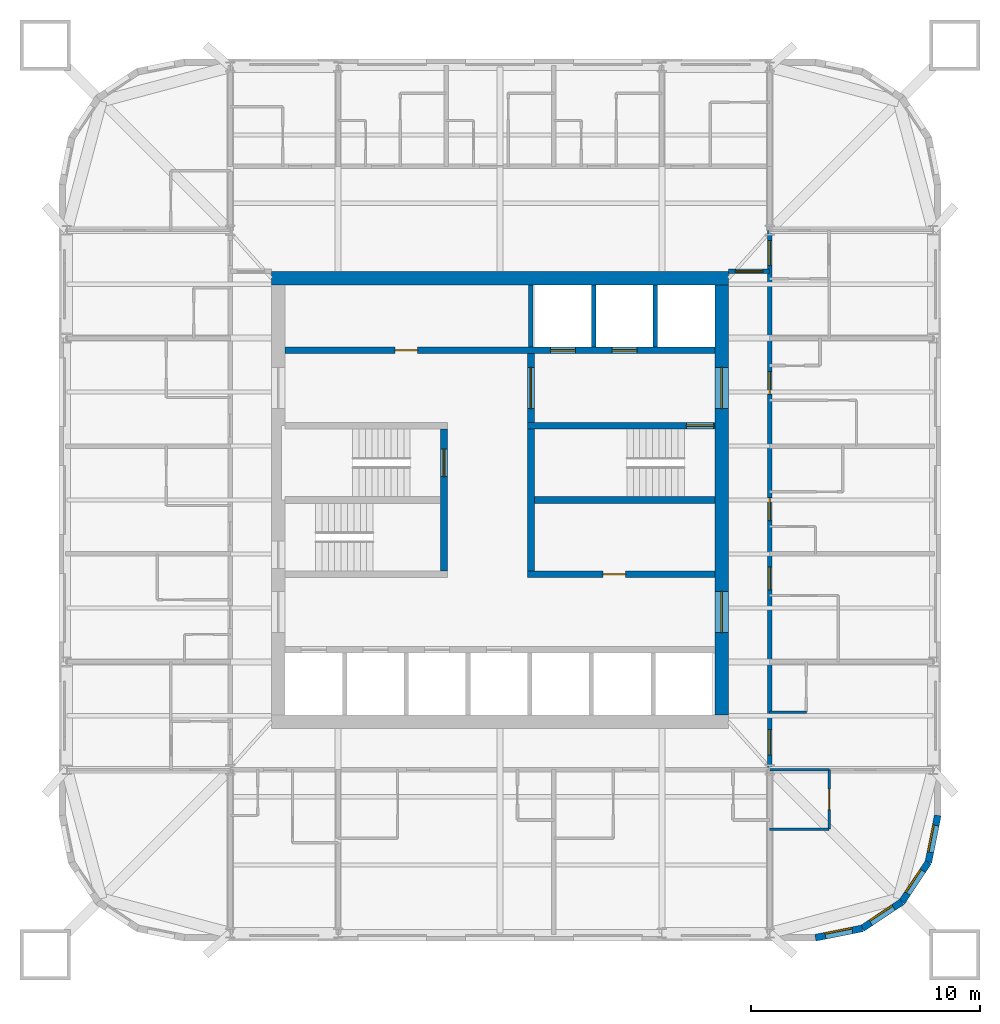
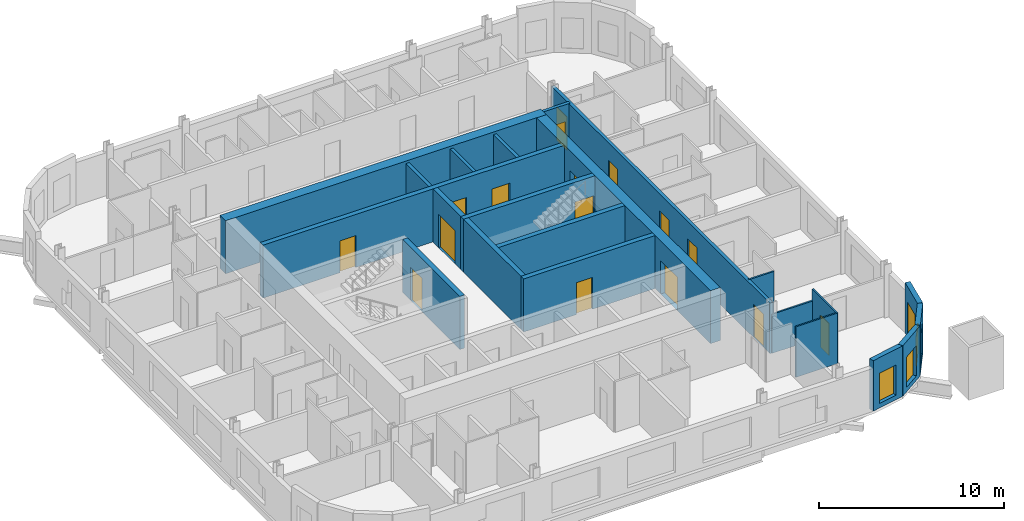
# One storey, part 5 of 9: 21 walls, 16 doors, 4 windows, 20 openings.
"""IFC4 building model written with IfcOpenShell, lengths in metres."""

from ifc_helpers import new_model, si_unit, direction, frame, frame_2d, origin, place, context, subcontext, project, spatial, rectangle, extrude, material, layer, layer_set, type_object, element, fill, save


model = new_model("IFC4")

# Units and contexts
model_context = context("Model", 3, precision=1e-05, world=origin(), true_north=direction((0.0, 1.0)))
body_context = subcontext(model_context, "Body", "Model", "MODEL_VIEW")
ifc_project = project(units=[si_unit("LENGTHUNIT", "METRE"), si_unit("AREAUNIT", "SQUARE_METRE"), si_unit("VOLUMEUNIT", "CUBIC_METRE"), si_unit("PLANEANGLEUNIT", "RADIAN"), si_unit("MASSUNIT", "GRAM", prefix="KILO")], contexts=[model_context])

# Site, building, storey
site_placement = place(None, origin())
site = spatial("IfcSite", under=ifc_project, at=site_placement, CompositionType="ELEMENT")
building_placement = place(site_placement, origin())
building = spatial("IfcBuilding", under=site, at=building_placement, Name="Turquesa Mirador Hotel Tower", CompositionType="ELEMENT")
storey_placement = place(building_placement, frame((0.0, 0.0, 172.300048828125)))
storey = spatial("IfcBuildingStorey", under=building, at=storey_placement, Name="L46", CompositionType="ELEMENT", Elevation=172.300048828125)

# Walls
ifc_material_1 = material(Name="Gypsum board on steel studs", Category="steel")
ifc_layer_1 = layer(ifc_material_1, 0.10009765625)
ifc_layer_set_1 = layer_set([ifc_layer_1], Name="BATHROOM WALL 100")
wall_type_1 = type_object("IfcWallType", Name="BATHROOM WALL 100", PredefinedType="PARTITIONING", material=ifc_layer_set_1)
wall_1_placement = place(storey_placement, frame((66.800048828125, 33.199951171875, 0.0), z_axis=(0.0, 0.0, 1.0), x_axis=(1.0, 0.0, 0.0)))
element("IfcWall", 1, at=wall_1_placement, inside=storey, type_object=wall_type_1, Name="Partition L46 003", PredefinedType="PARTITIONING", context=body_context, shape_type="SweptSolid", body=[
    extrude(rectangle(XDim=2.599853515625, YDim=0.10009765625, at=frame_2d((1.2998046875, 0.0))), origin(), (0.0, 0.0, 1.0), 2.572998046875),
])
wall_2_placement = place(storey_placement, frame((66.800048828125, 30.60009765625, 0.0), z_axis=(0.0, 0.0, 1.0), x_axis=(1.0, 0.0, 0.0)))
element("IfcWall", 2, at=wall_2_placement, inside=storey, type_object=wall_type_1, Name="Partition L46 010", PredefinedType="PARTITIONING", context=body_context, shape_type="SweptSolid", body=[
    extrude(rectangle(XDim=2.599853515625, YDim=0.10009765625, at=frame_2d((1.2998046875, 0.0))), origin(), (0.0, 0.0, 1.0), 3.329833984375),
])
wall_3_placement = place(storey_placement, frame((66.800048828125, 35.719970703125, 0.0), z_axis=(0.0, 0.0, 1.0), x_axis=(1.0, 0.0, 0.0)))
element("IfcWall", 3, at=wall_3_placement, inside=storey, type_object=wall_type_1, Name="Partition L46 021", PredefinedType="PARTITIONING", context=body_context, shape_type="SweptSolid", body=[
    extrude(rectangle(XDim=1.599853515625, YDim=0.10009765625, at=frame_2d((0.7998046875, 0.0))), origin(), (0.0, 0.0, 1.0), 3.329833984375),
])

# Wall, opening, door
wall_4_placement = place(storey_placement, frame((69.39990234375, 30.60009765625, 0.0), z_axis=(0.0, 0.0, 1.0), x_axis=(0.0, 1.0, 0.0)))
wall_4 = element("IfcWall", 4, at=wall_4_placement, inside=storey, type_object=wall_type_1, Name="Partition L46 079", PredefinedType="PARTITIONING", context=body_context, shape_type="SweptSolid", body=[
    extrude(rectangle(XDim=2.599853515625, YDim=0.10009765625, at=frame_2d((1.2998046875, 0.0))), origin(), (0.0, 0.0, 1.0), 3.329833984375),
])
opening_1_placement = place(wall_4_placement, frame((0.85009765625, 0.0, 0.0)))
opening_1 = element("IfcOpeningElement", 5, at=opening_1_placement, cuts=wall_4, Name="Opening D02", PredefinedType="OPENING", context=body_context, shape_type="SweptSolid", body=[
    extrude(rectangle(XDim=0.89990234375, YDim=2.10009765625, at=frame_2d((0.449951171875, 1.050048828125))), frame((0.0, 0.06005859375, 0.0), z_axis=(0.0, -1.0, 0.0), x_axis=(1.0, 0.0, 0.0)), (0.0, 0.0, 1.0), 0.1201171875),
])
ifc_material_2 = material(Name="Timber veneered door", Category="wood")
door_type_1 = type_object("IfcDoorType", Name="DOOR 900X2100 EN-SUITE", OperationType="SINGLE_SWING_RIGHT", PredefinedType="DOOR", material=ifc_material_2)
door_1_placement = place(opening_1_placement, origin())
door_1 = element("IfcDoor", 6, at=door_1_placement, inside=storey, type_object=door_type_1, Name="Door 4618B", OperationType="SINGLE_SWING_RIGHT", OverallHeight=2.10009765625, OverallWidth=0.89990234375, PredefinedType="DOOR", context=body_context, shape_type="SweptSolid", body=[
    extrude(rectangle(XDim=0.89990234375, YDim=2.10009765625, at=frame_2d((0.449951171875, 1.050048828125))), frame((0.0, 0.02490234375, 0.0), z_axis=(0.0, -1.0, 0.0), x_axis=(1.0, 0.0, 0.0)), (0.0, 0.0, 1.0), 0.050048828125),
])
fill(opening_1, door_1)

# Wall, openings, doors
ifc_material_3 = material(Name="Concrete C50/60", Category="concrete")
ifc_layer_2 = layer(ifc_material_3, 0.300048828125)
ifc_layer_set_2 = layer_set([ifc_layer_2], Name="CORE INNER WALL 300")
wall_type_2 = type_object("IfcWallType", Name="CORE INNER WALL 300", PredefinedType="SHEAR", material=ifc_layer_set_2)
wall_5_placement = place(storey_placement, frame((45.60009765625, 51.550048828125, 0.0), z_axis=(0.0, 0.0, 1.0), x_axis=(1.0, 0.0, 0.0)))
wall_5 = element("IfcWall", 7, at=wall_5_placement, inside=storey, type_object=wall_type_2, Name="Core wall NL", PredefinedType="SHEAR", context=body_context, shape_type="SweptSolid", body=[
    extrude(rectangle(XDim=18.7998046875, YDim=0.300048828125, at=frame_2d((9.39990234375, 0.0))), origin(), (0.0, 0.0, 1.0), 3.5),
])
opening_2_placement = place(wall_5_placement, frame((4.800048828125, 0.0, 0.0)))
opening_2 = element("IfcOpeningElement", 8, at=opening_2_placement, cuts=wall_5, Name="Opening D05", PredefinedType="OPENING", context=body_context, shape_type="SweptSolid", body=[
    extrude(rectangle(XDim=1.0, YDim=2.10009765625, at=frame_2d((0.5, 1.050048828125))), frame((0.0, 0.159912109375, 0.0), z_axis=(0.0, -1.0, 0.0), x_axis=(1.0, 0.0, 0.0)), (0.0, 0.0, 1.0), 0.320068359375),
])
opening_3_placement = place(wall_5_placement, frame((11.60009765625, 0.0, 0.0)))
opening_3 = element("IfcOpeningElement", 9, at=opening_3_placement, cuts=wall_5, Name="Opening LD", PredefinedType="OPENING", context=body_context, shape_type="SweptSolid", body=[
    extrude(rectangle(XDim=1.10009765625, YDim=2.199951171875, at=frame_2d((0.550048828125, 1.10009765625))), frame((0.0, 0.159912109375, 0.0), z_axis=(0.0, -1.0, 0.0), x_axis=(1.0, 0.0, 0.0)), (0.0, 0.0, 1.0), 0.320068359375),
])
opening_4_placement = place(wall_5_placement, frame((14.300048828125, 0.0, 0.0)))
opening_4 = element("IfcOpeningElement", 10, at=opening_4_placement, cuts=wall_5, Name="Opening LD", PredefinedType="OPENING", context=body_context, shape_type="SweptSolid", body=[
    extrude(rectangle(XDim=1.10009765625, YDim=2.199951171875, at=frame_2d((0.550048828125, 1.10009765625))), frame((0.0, 0.159912109375, 0.0), z_axis=(0.0, -1.0, 0.0), x_axis=(1.0, 0.0, 0.0)), (0.0, 0.0, 1.0), 0.320068359375),
])
ifc_material_4 = material(Name="Steel fire door", Category="steel")
door_type_2 = type_object("IfcDoorType", Name="DOOR 1000X2100 SERVICE", OperationType="SINGLE_SWING_LEFT", PredefinedType="DOOR", material=ifc_material_4)
door_2_placement = place(opening_2_placement, origin())
door_2 = element("IfcDoor", 11, at=door_2_placement, inside=storey, type_object=door_type_2, Name="Linen store door", OperationType="SINGLE_SWING_LEFT", OverallHeight=2.10009765625, OverallWidth=1.0, PredefinedType="DOOR", context=body_context, shape_type="SweptSolid", body=[
    extrude(rectangle(XDim=1.0, YDim=2.10009765625, at=frame_2d((0.5, 1.050048828125))), frame((0.0, 0.02490234375, 0.0), z_axis=(0.0, -1.0, 0.0), x_axis=(1.0, 0.0, 0.0)), (0.0, 0.0, 1.0), 0.050048828125),
])
fill(opening_2, door_2)
ifc_material_5 = material(Name="Stainless steel lift landing door", Category="steel")
door_type_3 = type_object("IfcDoorType", Name="LIFT LANDING DOOR 1100X2200", OperationType="SLIDING_TO_LEFT", PredefinedType="DOOR", material=ifc_material_5)
door_3_placement = place(opening_3_placement, origin())
door_3 = element("IfcDoor", 12, at=door_3_placement, inside=storey, type_object=door_type_3, Name="Lift S1 landing door", OperationType="SLIDING_TO_LEFT", OverallHeight=2.199951171875, OverallWidth=1.10009765625, PredefinedType="DOOR", context=body_context, shape_type="SweptSolid", body=[
    extrude(rectangle(XDim=1.10009765625, YDim=2.199951171875, at=frame_2d((0.550048828125, 1.10009765625))), frame((0.0, 0.02490234375, 0.0), z_axis=(0.0, -1.0, 0.0), x_axis=(1.0, 0.0, 0.0)), (0.0, 0.0, 1.0), 0.050048828125),
])
fill(opening_3, door_3)
door_4_placement = place(opening_4_placement, origin())
door_4 = element("IfcDoor", 13, at=door_4_placement, inside=storey, type_object=door_type_3, Name="Lift S2 landing door", OperationType="SLIDING_TO_LEFT", OverallHeight=2.199951171875, OverallWidth=1.10009765625, PredefinedType="DOOR", context=body_context, shape_type="SweptSolid", body=[
    extrude(rectangle(XDim=1.10009765625, YDim=2.199951171875, at=frame_2d((0.550048828125, 1.10009765625))), frame((0.0, 0.02490234375, 0.0), z_axis=(0.0, -1.0, 0.0), x_axis=(1.0, 0.0, 0.0)), (0.0, 0.0, 1.0), 0.050048828125),
])
fill(opening_4, door_4)

# Wall, opening, door
wall_6_placement = place(storey_placement, frame((56.199951171875, 48.25, 0.0), z_axis=(0.0, 0.0, 1.0), x_axis=(1.0, 0.0, 0.0)))
wall_6 = element("IfcWall", 14, at=wall_6_placement, inside=storey, type_object=wall_type_2, Name="Core wall MN-E", PredefinedType="SHEAR", context=body_context, shape_type="SweptSolid", body=[
    extrude(rectangle(XDim=8.199951171875, YDim=0.300048828125, at=frame_2d((4.10009765625, 0.0))), origin(), (0.0, 0.0, 1.0), 3.5),
])
opening_5_placement = place(wall_6_placement, frame((6.949951171875, 0.0, 0.0)))
opening_5 = element("IfcOpeningElement", 15, at=opening_5_placement, cuts=wall_6, Name="Opening D03", PredefinedType="OPENING", context=body_context, shape_type="SweptSolid", body=[
    extrude(rectangle(XDim=1.199951171875, YDim=2.199951171875, at=frame_2d((0.60009765625, 1.10009765625))), frame((0.0, 0.159912109375, 0.0), z_axis=(0.0, -1.0, 0.0), x_axis=(1.0, 0.0, 0.0)), (0.0, 0.0, 1.0), 0.320068359375),
])
ifc_material_6 = material(Name="Steel fire door", Category="steel")
door_type_4 = type_object("IfcDoorType", Name="DOOR 1200X2200 STAIR", OperationType="SINGLE_SWING_LEFT", PredefinedType="DOOR", material=ifc_material_6)
door_5_placement = place(opening_5_placement, origin())
door_5 = element("IfcDoor", 16, at=door_5_placement, inside=storey, type_object=door_type_4, Name="Stair ST3 door", OperationType="SINGLE_SWING_LEFT", OverallHeight=2.199951171875, OverallWidth=1.199951171875, PredefinedType="DOOR", context=body_context, shape_type="SweptSolid", body=[
    extrude(rectangle(XDim=1.199951171875, YDim=2.199951171875, at=frame_2d((0.60009765625, 1.10009765625))), frame((0.0, 0.02490234375, 0.0), z_axis=(0.0, -1.0, 0.0), x_axis=(1.0, 0.0, 0.0)), (0.0, 0.0, 1.0), 0.050048828125),
])
fill(opening_5, door_5)

wall_7_placement = place(storey_placement, frame((56.199951171875, 41.75, 0.0), z_axis=(0.0, 0.0, 1.0), x_axis=(1.0, 0.0, 0.0)))
wall_7 = element("IfcWall", 17, at=wall_7_placement, inside=storey, type_object=wall_type_2, Name="Core wall MS-E", PredefinedType="SHEAR", context=body_context, shape_type="SweptSolid", body=[
    extrude(rectangle(XDim=8.199951171875, YDim=0.300048828125, at=frame_2d((4.10009765625, 0.0))), origin(), (0.0, 0.0, 1.0), 3.5),
])
opening_6_placement = place(wall_7_placement, frame((3.300048828125, 0.0, 0.0)))
opening_6 = element("IfcOpeningElement", 18, at=opening_6_placement, cuts=wall_7, Name="Opening D05", PredefinedType="OPENING", context=body_context, shape_type="SweptSolid", body=[
    extrude(rectangle(XDim=1.0, YDim=2.10009765625, at=frame_2d((0.5, 1.050048828125))), frame((0.0, 0.159912109375, 0.0), z_axis=(0.0, -1.0, 0.0), x_axis=(1.0, 0.0, 0.0)), (0.0, 0.0, 1.0), 0.320068359375),
])
door_6_placement = place(opening_6_placement, origin())
door_6 = element("IfcDoor", 19, at=door_6_placement, inside=storey, type_object=door_type_2, Name="Housekeeping room door", OperationType="SINGLE_SWING_LEFT", OverallHeight=2.10009765625, OverallWidth=1.0, PredefinedType="DOOR", context=body_context, shape_type="SweptSolid", body=[
    extrude(rectangle(XDim=1.0, YDim=2.10009765625, at=frame_2d((0.5, 1.050048828125))), frame((0.0, 0.02490234375, 0.0), z_axis=(0.0, -1.0, 0.0), x_axis=(1.0, 0.0, 0.0)), (0.0, 0.0, 1.0), 0.050048828125),
])
fill(opening_6, door_6)

wall_8_placement = place(storey_placement, frame((52.550048828125, 41.89990234375, 0.0), z_axis=(0.0, 0.0, 1.0), x_axis=(0.0, 1.0, 0.0)))
wall_8 = element("IfcWall", 20, at=wall_8_placement, inside=storey, type_object=wall_type_2, Name="Core wall PW", PredefinedType="SHEAR", context=body_context, shape_type="SweptSolid", body=[
    extrude(rectangle(XDim=6.2001953125, YDim=0.300048828125, at=frame_2d((3.10009765625, 0.0))), origin(), (0.0, 0.0, 1.0), 3.5),
])
opening_7_placement = place(wall_8_placement, frame((4.125, 0.0, 0.0)))
opening_7 = element("IfcOpeningElement", 21, at=opening_7_placement, cuts=wall_8, Name="Opening D03", PredefinedType="OPENING", context=body_context, shape_type="SweptSolid", body=[
    extrude(rectangle(XDim=1.199951171875, YDim=2.199951171875, at=frame_2d((0.60009765625, 1.10009765625))), frame((0.0, 0.159912109375, 0.0), z_axis=(0.0, -1.0, 0.0), x_axis=(1.0, 0.0, 0.0)), (0.0, 0.0, 1.0), 0.320068359375),
])
door_7_placement = place(opening_7_placement, origin())
door_7 = element("IfcDoor", 22, at=door_7_placement, inside=storey, type_object=door_type_4, Name="Stair ST1 door", OperationType="SINGLE_SWING_LEFT", OverallHeight=2.199951171875, OverallWidth=1.199951171875, PredefinedType="DOOR", context=body_context, shape_type="SweptSolid", body=[
    extrude(rectangle(XDim=1.199951171875, YDim=2.199951171875, at=frame_2d((0.60009765625, 1.10009765625))), frame((0.0, 0.02490234375, 0.0), z_axis=(0.0, -1.0, 0.0), x_axis=(1.0, 0.0, 0.0)), (0.0, 0.0, 1.0), 0.050048828125),
])
fill(opening_7, door_7)

wall_9_placement = place(storey_placement, frame((56.35009765625, 41.89990234375, 0.0), z_axis=(0.0, 0.0, 1.0), x_axis=(0.0, 1.0, 0.0)))
wall_9 = element("IfcWall", 23, at=wall_9_placement, inside=storey, type_object=wall_type_2, Name="Core wall PE", PredefinedType="SHEAR", context=body_context, shape_type="SweptSolid", body=[
    extrude(rectangle(XDim=9.5, YDim=0.300048828125, at=frame_2d((4.75, 0.0))), origin(), (0.0, 0.0, 1.0), 3.5),
])
opening_8_placement = place(wall_9_placement, frame((7.10009765625, 0.0, 0.0)))
opening_8 = element("IfcOpeningElement", 24, at=opening_8_placement, cuts=wall_9, Name="Opening D04", PredefinedType="OPENING", context=body_context, shape_type="SweptSolid", body=[
    extrude(rectangle(XDim=1.800048828125, YDim=2.199951171875, at=frame_2d((0.89990234375, 1.10009765625))), frame((0.0, 0.159912109375, 0.0), z_axis=(0.0, -1.0, 0.0), x_axis=(1.0, 0.0, 0.0)), (0.0, 0.0, 1.0), 0.320068359375),
])
ifc_material_7 = material(Name="Steel fire door pair", Category="steel")
door_type_5 = type_object("IfcDoorType", Name="DOOR 1800X2200 PAIR", OperationType="DOUBLE_DOOR_SINGLE_SWING", PredefinedType="DOOR", material=ifc_material_7)
door_8_placement = place(opening_8_placement, origin())
door_8 = element("IfcDoor", 25, at=door_8_placement, inside=storey, type_object=door_type_5, Name="Firefighting lobby inner door", OperationType="DOUBLE_DOOR_SINGLE_SWING", OverallHeight=2.199951171875, OverallWidth=1.800048828125, PredefinedType="DOOR", context=body_context, shape_type="SweptSolid", body=[
    extrude(rectangle(XDim=1.800048828125, YDim=2.199951171875, at=frame_2d((0.89990234375, 1.10009765625))), frame((0.0, 0.02490234375, 0.0), z_axis=(0.0, -1.0, 0.0), x_axis=(1.0, 0.0, 0.0)), (0.0, 0.0, 1.0), 0.050048828125),
])
fill(opening_8, door_8)

# Walls
wall_10_placement = place(storey_placement, frame((56.5, 45.0, 0.0), z_axis=(0.0, 0.0, 1.0), x_axis=(1.0, 0.0, 0.0)))
element("IfcWall", 26, at=wall_10_placement, inside=storey, type_object=wall_type_2, Name="Core wall M0-E", PredefinedType="SHEAR", context=body_context, shape_type="SweptSolid", body=[
    extrude(rectangle(XDim=7.89990234375, YDim=0.300048828125, at=frame_2d((3.949951171875, 0.0))), origin(), (0.0, 0.0, 1.0), 3.5),
])
ifc_material_8 = material(Name="Concrete C50/60", Category="concrete")
ifc_layer_3 = layer(ifc_material_8, 0.60009765625)
ifc_layer_set_3 = layer_set([ifc_layer_3], Name="CORE WALL 600")
wall_type_3 = type_object("IfcWallType", Name="CORE WALL 600", PredefinedType="SHEAR", material=ifc_layer_set_3)
wall_11_placement = place(storey_placement, frame((45.0, 54.699951171875, 0.0), z_axis=(0.0, 0.0, 1.0), x_axis=(1.0, 0.0, 0.0)))
element("IfcWall", 27, at=wall_11_placement, inside=storey, type_object=wall_type_3, Name="Core wall N", PredefinedType="SHEAR", context=body_context, shape_type="SweptSolid", body=[
    extrude(rectangle(XDim=20.0, YDim=0.60009765625, at=frame_2d((10.0, 0.0))), origin(), (0.0, 0.0, 1.0), 3.5),
])

# Wall, openings, doors
wall_12_placement = place(storey_placement, frame((64.699951171875, 35.60009765625, 0.0), z_axis=(0.0, 0.0, 1.0), x_axis=(0.0, 1.0, 0.0)))
wall_12 = element("IfcWall", 28, at=wall_12_placement, inside=storey, type_object=wall_type_3, Name="Core wall E", PredefinedType="SHEAR", context=body_context, shape_type="SweptSolid", body=[
    extrude(rectangle(XDim=18.7998046875, YDim=0.60009765625, at=frame_2d((9.39990234375, 0.0))), origin(), (0.0, 0.0, 1.0), 3.5),
])
opening_9_placement = place(wall_12_placement, frame((13.39990234375, 0.0, 0.0)))
opening_9 = element("IfcOpeningElement", 29, at=opening_9_placement, cuts=wall_12, Name="Opening D04", PredefinedType="OPENING", context=body_context, shape_type="SweptSolid", body=[
    extrude(rectangle(XDim=1.800048828125, YDim=2.199951171875, at=frame_2d((0.89990234375, 1.10009765625))), frame((0.0, 0.31005859375, 0.0), z_axis=(0.0, -1.0, 0.0), x_axis=(1.0, 0.0, 0.0)), (0.0, 0.0, 1.0), 0.6201171875),
])
opening_10_placement = place(wall_12_placement, frame((3.60009765625, 0.0, 0.0)))
opening_10 = element("IfcOpeningElement", 30, at=opening_10_placement, cuts=wall_12, Name="Opening D04", PredefinedType="OPENING", context=body_context, shape_type="SweptSolid", body=[
    extrude(rectangle(XDim=1.800048828125, YDim=2.199951171875, at=frame_2d((0.89990234375, 1.10009765625))), frame((0.0, 0.31005859375, 0.0), z_axis=(0.0, -1.0, 0.0), x_axis=(1.0, 0.0, 0.0)), (0.0, 0.0, 1.0), 0.6201171875),
])
door_9_placement = place(opening_9_placement, origin())
door_9 = element("IfcDoor", 31, at=door_9_placement, inside=storey, type_object=door_type_5, Name="Firefighting lobby door", OperationType="DOUBLE_DOOR_SINGLE_SWING", OverallHeight=2.199951171875, OverallWidth=1.800048828125, PredefinedType="DOOR", context=body_context, shape_type="SweptSolid", body=[
    extrude(rectangle(XDim=1.800048828125, YDim=2.199951171875, at=frame_2d((0.89990234375, 1.10009765625))), frame((0.0, 0.02490234375, 0.0), z_axis=(0.0, -1.0, 0.0), x_axis=(1.0, 0.0, 0.0)), (0.0, 0.0, 1.0), 0.050048828125),
])
fill(opening_9, door_9)
door_10_placement = place(opening_10_placement, origin())
door_10 = element("IfcDoor", 32, at=door_10_placement, inside=storey, type_object=door_type_5, Name="South lift lobby door", OperationType="DOUBLE_DOOR_SINGLE_SWING", OverallHeight=2.199951171875, OverallWidth=1.800048828125, PredefinedType="DOOR", context=body_context, shape_type="SweptSolid", body=[
    extrude(rectangle(XDim=1.800048828125, YDim=2.199951171875, at=frame_2d((0.89990234375, 1.10009765625))), frame((0.0, 0.02490234375, 0.0), z_axis=(0.0, -1.0, 0.0), x_axis=(1.0, 0.0, 0.0)), (0.0, 0.0, 1.0), 0.050048828125),
])
fill(opening_10, door_10)

# Wall, opening, door
ifc_material_9 = material(Name="Fire-rated gypsum board on steel studs", Category="steel")
ifc_layer_4 = layer(ifc_material_9, 0.199951171875)
ifc_layer_set_4 = layer_set([ifc_layer_4], Name="CORRIDOR WALL 200")
wall_type_4 = type_object("IfcWallType", Name="CORRIDOR WALL 200", PredefinedType="PARTITIONING", material=ifc_layer_set_4)
wall_13_placement = place(storey_placement, frame((65.0, 55.0, 0.0), z_axis=(0.0, 0.0, 1.0), x_axis=(1.0, 0.0, 0.0)))
wall_13 = element("IfcWall", 33, at=wall_13_placement, inside=storey, type_object=wall_type_4, Name="Partition L46 025", PredefinedType="PARTITIONING", context=body_context, shape_type="SweptSolid", body=[
    extrude(rectangle(XDim=1.800048828125, YDim=0.199951171875, at=frame_2d((0.89990234375, 0.0))), origin(), (0.0, 0.0, 1.0), 3.329833984375),
])
opening_11_placement = place(wall_13_placement, frame((0.300048828125, 0.0, 0.0)))
opening_11 = element("IfcOpeningElement", 34, at=opening_11_placement, cuts=wall_13, Name="Opening D19", PredefinedType="OPENING", context=body_context, shape_type="SweptSolid", body=[
    extrude(rectangle(XDim=1.199951171875, YDim=2.199951171875, at=frame_2d((0.60009765625, 1.10009765625))), frame((0.0, 0.10986328125, 0.0), z_axis=(0.0, -1.0, 0.0), x_axis=(1.0, 0.0, 0.0)), (0.0, 0.0, 1.0), 0.219970703125),
])
ifc_material_10 = material(Name="Steel glazed fire door", Category="steel")
door_type_6 = type_object("IfcDoorType", Name="DOOR 1200X2200 FIRE DOOR GLAZED", OperationType="SINGLE_SWING_LEFT", PredefinedType="DOOR", material=ifc_material_10)
door_11_placement = place(opening_11_placement, origin())
door_11 = element("IfcDoor", 35, at=door_11_placement, inside=storey, type_object=door_type_6, Name="Door L46-C03-1", OperationType="SINGLE_SWING_LEFT", OverallHeight=2.199951171875, OverallWidth=1.199951171875, PredefinedType="DOOR", context=body_context, shape_type="SweptSolid", body=[
    extrude(rectangle(XDim=1.199951171875, YDim=2.199951171875, at=frame_2d((0.60009765625, 1.10009765625))), frame((0.0, 0.02490234375, 0.0), z_axis=(0.0, -1.0, 0.0), x_axis=(1.0, 0.0, 0.0)), (0.0, 0.0, 1.0), 0.050048828125),
])
fill(opening_11, door_11)

# Wall, openings, doors
wall_14_placement = place(storey_placement, frame((66.800048828125, 33.199951171875, 0.0), z_axis=(0.0, 0.0, 1.0), x_axis=(0.0, 1.0, 0.0)))
wall_14 = element("IfcWall", 36, at=wall_14_placement, inside=storey, type_object=wall_type_4, Name="Partition L46 073", PredefinedType="PARTITIONING", context=body_context, shape_type="SweptSolid", body=[
    extrude(rectangle(XDim=23.580078125, YDim=0.199951171875, at=frame_2d((11.7900390625, 0.0))), origin(), (0.0, 0.0, 1.0), 3.329833984375),
])
opening_12_placement = place(wall_14_placement, frame((7.8701171875, 0.0, 0.0)))
opening_12 = element("IfcOpeningElement", 37, at=opening_12_placement, cuts=wall_14, Name="Opening D01", PredefinedType="OPENING", context=body_context, shape_type="SweptSolid", body=[
    extrude(rectangle(XDim=1.0, YDim=2.199951171875, at=frame_2d((0.5, 1.10009765625))), frame((0.0, 0.10986328125, 0.0), z_axis=(0.0, -1.0, 0.0), x_axis=(1.0, 0.0, 0.0)), (0.0, 0.0, 1.0), 0.219970703125),
])
opening_13_placement = place(wall_14_placement, frame((10.89990234375, 0.0, 0.0)))
opening_13 = element("IfcOpeningElement", 38, at=opening_13_placement, cuts=wall_14, Name="Opening D01", PredefinedType="OPENING", context=body_context, shape_type="SweptSolid", body=[
    extrude(rectangle(XDim=1.0, YDim=2.199951171875, at=frame_2d((0.5, 1.10009765625))), frame((0.0, 0.10986328125, 0.0), z_axis=(0.0, -1.0, 0.0), x_axis=(1.0, 0.0, 0.0)), (0.0, 0.0, 1.0), 0.219970703125),
])
opening_14_placement = place(wall_14_placement, frame((16.419921875, 0.0, 0.0)))
opening_14 = element("IfcOpeningElement", 39, at=opening_14_placement, cuts=wall_14, Name="Opening D01", PredefinedType="OPENING", context=body_context, shape_type="SweptSolid", body=[
    extrude(rectangle(XDim=1.0, YDim=2.199951171875, at=frame_2d((0.5, 1.10009765625))), frame((0.0, 0.10986328125, 0.0), z_axis=(0.0, -1.0, 0.0), x_axis=(1.0, 0.0, 0.0)), (0.0, 0.0, 1.0), 0.219970703125),
])
opening_15_placement = place(wall_14_placement, frame((22.050048828125, 0.0, 0.0)))
opening_15 = element("IfcOpeningElement", 40, at=opening_15_placement, cuts=wall_14, Name="Opening D15", PredefinedType="OPENING", context=body_context, shape_type="SweptSolid", body=[
    extrude(rectangle(XDim=1.10009765625, YDim=2.199951171875, at=frame_2d((0.550048828125, 1.10009765625))), frame((0.0, 0.10986328125, 0.0), z_axis=(0.0, -1.0, 0.0), x_axis=(1.0, 0.0, 0.0)), (0.0, 0.0, 1.0), 0.219970703125),
])
opening_16_placement = place(wall_14_placement, frame((0.64990234375, 0.0, 0.0)))
opening_16 = element("IfcOpeningElement", 41, at=opening_16_placement, cuts=wall_14, Name="Opening D15", PredefinedType="OPENING", context=body_context, shape_type="SweptSolid", body=[
    extrude(rectangle(XDim=1.10009765625, YDim=2.199951171875, at=frame_2d((0.550048828125, 1.10009765625))), frame((0.0, 0.10986328125, 0.0), z_axis=(0.0, -1.0, 0.0), x_axis=(1.0, 0.0, 0.0)), (0.0, 0.0, 1.0), 0.219970703125),
])
ifc_material_11 = material(Name="Timber veneered fire door", Category="wood")
door_type_7 = type_object("IfcDoorType", Name="DOOR 1000X2200 GUEST ENTRY", OperationType="SINGLE_SWING_LEFT", PredefinedType="DOOR", material=ifc_material_11)
door_12_placement = place(opening_12_placement, origin())
door_12 = element("IfcDoor", 42, at=door_12_placement, inside=storey, type_object=door_type_7, Name="Door 4609", OperationType="SINGLE_SWING_LEFT", OverallHeight=2.199951171875, OverallWidth=1.0, PredefinedType="DOOR", context=body_context, shape_type="SweptSolid", body=[
    extrude(rectangle(XDim=1.0, YDim=2.199951171875, at=frame_2d((0.5, 1.10009765625))), frame((0.0, 0.02490234375, 0.0), z_axis=(0.0, -1.0, 0.0), x_axis=(1.0, 0.0, 0.0)), (0.0, 0.0, 1.0), 0.050048828125),
])
fill(opening_12, door_12)
door_13_placement = place(opening_13_placement, origin())
door_13 = element("IfcDoor", 43, at=door_13_placement, inside=storey, type_object=door_type_7, Name="Door 4610", OperationType="SINGLE_SWING_LEFT", OverallHeight=2.199951171875, OverallWidth=1.0, PredefinedType="DOOR", context=body_context, shape_type="SweptSolid", body=[
    extrude(rectangle(XDim=1.0, YDim=2.199951171875, at=frame_2d((0.5, 1.10009765625))), frame((0.0, 0.02490234375, 0.0), z_axis=(0.0, -1.0, 0.0), x_axis=(1.0, 0.0, 0.0)), (0.0, 0.0, 1.0), 0.050048828125),
])
fill(opening_13, door_13)
door_14_placement = place(opening_14_placement, origin())
door_14 = element("IfcDoor", 44, at=door_14_placement, inside=storey, type_object=door_type_7, Name="Door 4611", OperationType="SINGLE_SWING_LEFT", OverallHeight=2.199951171875, OverallWidth=1.0, PredefinedType="DOOR", context=body_context, shape_type="SweptSolid", body=[
    extrude(rectangle(XDim=1.0, YDim=2.199951171875, at=frame_2d((0.5, 1.10009765625))), frame((0.0, 0.02490234375, 0.0), z_axis=(0.0, -1.0, 0.0), x_axis=(1.0, 0.0, 0.0)), (0.0, 0.0, 1.0), 0.050048828125),
])
fill(opening_14, door_14)
ifc_material_12 = material(Name="Timber veneered fire door", Category="wood")
door_type_8 = type_object("IfcDoorType", Name="DOOR 1100X2200 SUITE ENTRY", OperationType="SINGLE_SWING_LEFT", PredefinedType="DOOR", material=ifc_material_12)
door_15_placement = place(opening_15_placement, origin())
door_15 = element("IfcDoor", 45, at=door_15_placement, inside=storey, type_object=door_type_8, Name="Door 4615H", OperationType="SINGLE_SWING_LEFT", OverallHeight=2.199951171875, OverallWidth=1.10009765625, PredefinedType="DOOR", context=body_context, shape_type="SweptSolid", body=[
    extrude(rectangle(XDim=1.10009765625, YDim=2.199951171875, at=frame_2d((0.550048828125, 1.10009765625))), frame((0.0, 0.02490234375, 0.0), z_axis=(0.0, -1.0, 0.0), x_axis=(1.0, 0.0, 0.0)), (0.0, 0.0, 1.0), 0.050048828125),
])
fill(opening_15, door_15)
door_16_placement = place(opening_16_placement, origin())
door_16 = element("IfcDoor", 46, at=door_16_placement, inside=storey, type_object=door_type_8, Name="Door 4618", OperationType="SINGLE_SWING_LEFT", OverallHeight=2.199951171875, OverallWidth=1.10009765625, PredefinedType="DOOR", context=body_context, shape_type="SweptSolid", body=[
    extrude(rectangle(XDim=1.10009765625, YDim=2.199951171875, at=frame_2d((0.550048828125, 1.10009765625))), frame((0.0, 0.02490234375, 0.0), z_axis=(0.0, -1.0, 0.0), x_axis=(1.0, 0.0, 0.0)), (0.0, 0.0, 1.0), 0.050048828125),
])
fill(opening_16, door_16)

# Wall, opening, window
ifc_material_13 = material(Name="Limestone cladding on concrete block", Category="masonry")
ifc_layer_5 = layer(ifc_material_13, 0.300048828125)
ifc_layer_set_5 = layer_set([ifc_layer_5], Name="FACADE WALL 300 STONE SCREEN")
wall_type_5 = type_object("IfcWallType", Name="FACADE WALL 300 STONE SCREEN", PredefinedType="SOLIDWALL", material=ifc_layer_set_5)
wall_15_placement = place(storey_placement, frame((68.800048828125, 25.85009765625, 0.0), z_axis=(0.0, 0.0, 1.0), x_axis=(0.980787050784, 0.195081421501, 0.0)))
wall_15 = element("IfcWall", 47, at=wall_15_placement, inside=storey, type_object=wall_type_5, Name="Facade wall L46 00", PredefinedType="SOLIDWALL", context=body_context, shape_type="SweptSolid", body=[
    extrude(rectangle(XDim=2.08740234375, YDim=0.300048828125, at=frame_2d((1.043701171875, 0.0))), origin(), (0.0, 0.0, 1.0), 3.329833984375),
])
opening_17_placement = place(wall_15_placement, frame((0.443603515625, 0.0, 0.300048828125)))
opening_17 = element("IfcOpeningElement", 48, at=opening_17_placement, cuts=wall_15, Name="Opening WN4", PredefinedType="OPENING", context=body_context, shape_type="SweptSolid", body=[
    extrude(rectangle(XDim=1.199951171875, YDim=2.0, at=frame_2d((0.60009765625, 1.0))), frame((0.0, 0.159912109375, 0.0), z_axis=(0.0, -1.0, 0.0), x_axis=(1.0, 0.0, 0.0)), (0.0, 0.0, 1.0), 0.320068359375),
])
ifc_material_14 = material(Name="Ceramic-fritted laminated glass", Category="glass")
window_type = type_object("IfcWindowType", Name="FRITTED CORNER WINDOW 1200X2000", PartitioningType="DOUBLE_PANEL_HORIZONTAL", PredefinedType="WINDOW", material=ifc_material_14)
window_1_placement = place(opening_17_placement, origin())
window_1 = element("IfcWindow", 49, at=window_1_placement, inside=storey, type_object=window_type, Name="Window L46", OverallHeight=2.0, OverallWidth=1.199951171875, PartitioningType="SINGLE_PANEL", PredefinedType="WINDOW", context=body_context, shape_type="SweptSolid", body=[
    extrude(rectangle(XDim=1.199951171875, YDim=2.0, at=frame_2d((0.60009765625, 1.0))), frame((0.0, 0.130126953125, 0.0), z_axis=(0.0, -1.0, 0.0), x_axis=(1.0, 0.0, 0.0)), (0.0, 0.0, 1.0), 0.06005859375),
])
fill(opening_17, window_1)

wall_16_placement = place(storey_placement, frame((70.847412109375, 26.25732421875, 0.0), z_axis=(0.0, 0.0, 1.0), x_axis=(0.831474039234, 0.555563607591, 0.0)))
wall_16 = element("IfcWall", 50, at=wall_16_placement, inside=storey, type_object=wall_type_5, Name="Facade wall L46 01", PredefinedType="SOLIDWALL", context=body_context, shape_type="SweptSolid", body=[
    extrude(rectangle(XDim=2.08740234375, YDim=0.300048828125, at=frame_2d((1.043701171875, 0.0))), origin(), (0.0, 0.0, 1.0), 3.329833984375),
])
opening_18_placement = place(wall_16_placement, frame((0.443603515625, 0.0, 0.300048828125)))
opening_18 = element("IfcOpeningElement", 51, at=opening_18_placement, cuts=wall_16, Name="Opening WN4", PredefinedType="OPENING", context=body_context, shape_type="SweptSolid", body=[
    extrude(rectangle(XDim=1.199951171875, YDim=2.0, at=frame_2d((0.60009765625, 1.0))), frame((0.0, 0.159912109375, 0.0), z_axis=(0.0, -1.0, 0.0), x_axis=(1.0, 0.0, 0.0)), (0.0, 0.0, 1.0), 0.320068359375),
])
window_2_placement = place(opening_18_placement, origin())
window_2 = element("IfcWindow", 52, at=window_2_placement, inside=storey, type_object=window_type, Name="Window L46", OverallHeight=2.0, OverallWidth=1.199951171875, PartitioningType="SINGLE_PANEL", PredefinedType="WINDOW", context=body_context, shape_type="SweptSolid", body=[
    extrude(rectangle(XDim=1.199951171875, YDim=2.0, at=frame_2d((0.60009765625, 1.0))), frame((0.0, 0.130126953125, 0.0), z_axis=(0.0, -1.0, 0.0), x_axis=(1.0, 0.0, 0.0)), (0.0, 0.0, 1.0), 0.06005859375),
])
fill(opening_18, window_2)

wall_17_placement = place(storey_placement, frame((72.5830078125, 27.4169921875, 0.0), z_axis=(0.0, 0.0, 1.0), x_axis=(0.555563607591, 0.831474039234, 0.0)))
wall_17 = element("IfcWall", 53, at=wall_17_placement, inside=storey, type_object=wall_type_5, Name="Facade wall L46 02", PredefinedType="SOLIDWALL", context=body_context, shape_type="SweptSolid", body=[
    extrude(rectangle(XDim=2.08740234375, YDim=0.300048828125, at=frame_2d((1.043701171875, 0.0))), origin(), (0.0, 0.0, 1.0), 3.329833984375),
])
opening_19_placement = place(wall_17_placement, frame((0.443603515625, 0.0, 0.300048828125)))
opening_19 = element("IfcOpeningElement", 54, at=opening_19_placement, cuts=wall_17, Name="Opening WN4", PredefinedType="OPENING", context=body_context, shape_type="SweptSolid", body=[
    extrude(rectangle(XDim=1.199951171875, YDim=2.0, at=frame_2d((0.60009765625, 1.0))), frame((0.0, 0.159912109375, 0.0), z_axis=(0.0, -1.0, 0.0), x_axis=(1.0, 0.0, 0.0)), (0.0, 0.0, 1.0), 0.320068359375),
])
window_3_placement = place(opening_19_placement, origin())
window_3 = element("IfcWindow", 55, at=window_3_placement, inside=storey, type_object=window_type, Name="Window L46", OverallHeight=2.0, OverallWidth=1.199951171875, PartitioningType="SINGLE_PANEL", PredefinedType="WINDOW", context=body_context, shape_type="SweptSolid", body=[
    extrude(rectangle(XDim=1.199951171875, YDim=2.0, at=frame_2d((0.60009765625, 1.0))), frame((0.0, 0.130126953125, 0.0), z_axis=(0.0, -1.0, 0.0), x_axis=(1.0, 0.0, 0.0)), (0.0, 0.0, 1.0), 0.06005859375),
])
fill(opening_19, window_3)

wall_18_placement = place(storey_placement, frame((73.74267578125, 29.152587890625, 0.0), z_axis=(0.0, 0.0, 1.0), x_axis=(0.195081421501, 0.980787050784, 0.0)))
wall_18 = element("IfcWall", 56, at=wall_18_placement, inside=storey, type_object=wall_type_5, Name="Facade wall L46 03", PredefinedType="SOLIDWALL", context=body_context, shape_type="SweptSolid", body=[
    extrude(rectangle(XDim=2.08740234375, YDim=0.300048828125, at=frame_2d((1.043701171875, 0.0))), origin(), (0.0, 0.0, 1.0), 3.329833984375),
])
opening_20_placement = place(wall_18_placement, frame((0.443603515625, 0.0, 0.300048828125)))
opening_20 = element("IfcOpeningElement", 57, at=opening_20_placement, cuts=wall_18, Name="Opening WN4", PredefinedType="OPENING", context=body_context, shape_type="SweptSolid", body=[
    extrude(rectangle(XDim=1.199951171875, YDim=2.0, at=frame_2d((0.60009765625, 1.0))), frame((0.0, 0.159912109375, 0.0), z_axis=(0.0, -1.0, 0.0), x_axis=(1.0, 0.0, 0.0)), (0.0, 0.0, 1.0), 0.320068359375),
])
window_4_placement = place(opening_20_placement, origin())
window_4 = element("IfcWindow", 58, at=window_4_placement, inside=storey, type_object=window_type, Name="Window L46", OverallHeight=2.0, OverallWidth=1.199951171875, PartitioningType="SINGLE_PANEL", PredefinedType="WINDOW", context=body_context, shape_type="SweptSolid", body=[
    extrude(rectangle(XDim=1.199951171875, YDim=2.0, at=frame_2d((0.60009765625, 1.0))), frame((0.0, 0.130126953125, 0.0), z_axis=(0.0, -1.0, 0.0), x_axis=(1.0, 0.0, 0.0)), (0.0, 0.0, 1.0), 0.06005859375),
])
fill(opening_20, window_4)

# Walls
ifc_material_15 = material(Name="Fire-rated gypsum shaft wall on steel studs", Category="steel")
ifc_layer_6 = layer(ifc_material_15, 0.199951171875)
ifc_layer_set_6 = layer_set([ifc_layer_6], Name="LIFT SHAFT DIVIDER 200")
wall_type_6 = type_object("IfcWallType", Name="LIFT SHAFT DIVIDER 200", PredefinedType="PARTITIONING", material=ifc_layer_set_6)
for number, where, z_axis, x_axis, name in (
    (59, (59.10009765625, 51.699951171875, 0.0), (0.0, 0.0, 1.0), (0.0, 1.0, 0.0), "Lift shaft divider"),
    (60, (61.800048828125, 51.699951171875, 0.0), (0.0, 0.0, 1.0), (0.0, 1.0, 0.0), "Lift shaft divider"),
    (61, (56.35009765625, 51.699951171875, 0.0), (0.0, 0.0, 1.0), (0.0, 1.0, 0.0), "Lift shaft divider"),
):
    element("IfcWall", number, at=place(storey_placement, frame(where, z_axis=z_axis, x_axis=x_axis)), inside=storey, type_object=wall_type_6, Name=name, PredefinedType="PARTITIONING", context=body_context, shape_type="SweptSolid", body=[
        extrude(rectangle(XDim=2.699951171875, YDim=0.199951171875, at=frame_2d((1.35009765625, 0.0))), origin(), (0.0, 0.0, 1.0), 3.329833984375),
    ])

save(model, "model.ifc")
